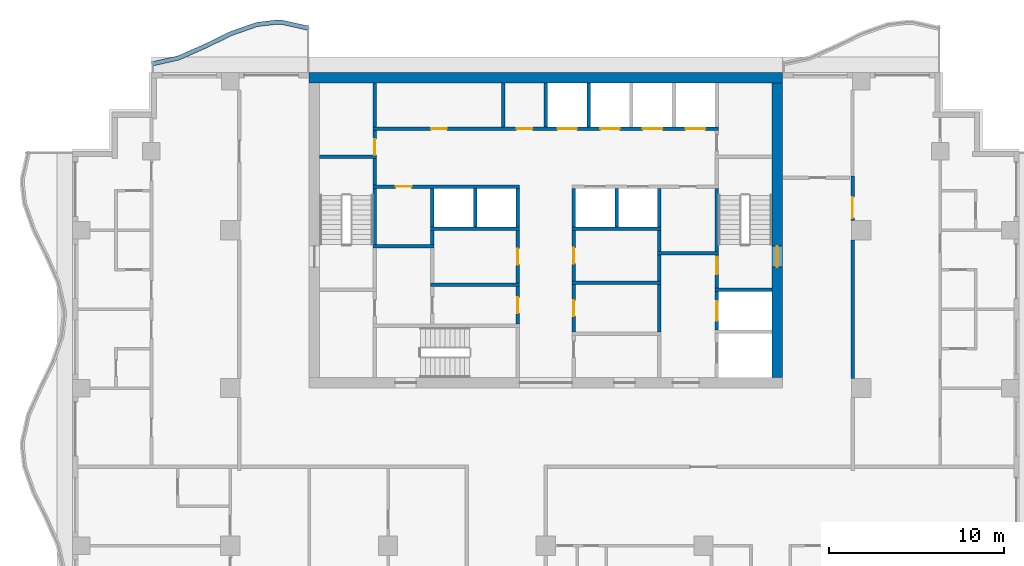
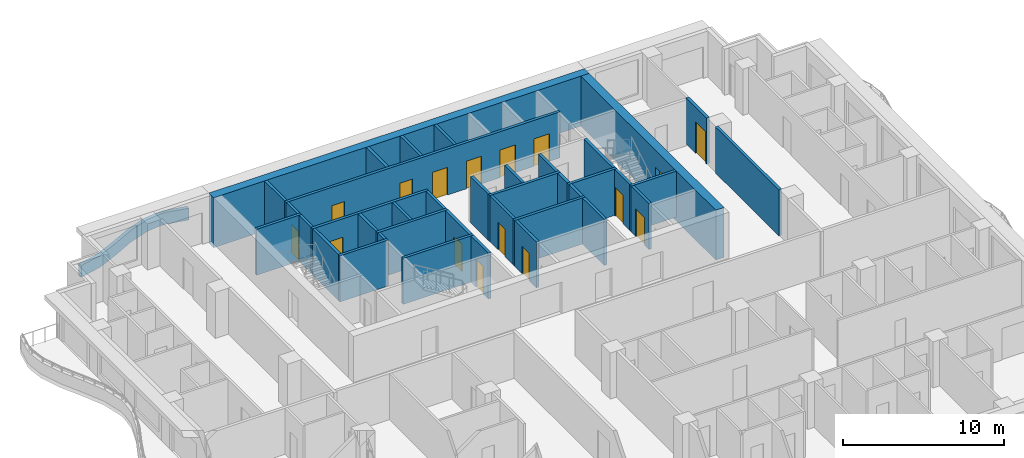
# One storey, part 6 of 12: 39 walls, 16 doors, 16 openings.
"""IFC4 building model written with IfcOpenShell, lengths in metres."""

from ifc_helpers import new_model, si_unit, direction, frame, frame_2d, origin, place, context, subcontext, project, spatial, polyline, rectangle, outline, extrude, material, layer, layer_set, type_object, element, fill, save


model = new_model("IFC4")

# Units and contexts
model_context = context("Model", 3, precision=1e-05, world=origin(), true_north=direction((0.0, 1.0)))
body_context = subcontext(model_context, "Body", "Model", "MODEL_VIEW")
ifc_project = project(units=[si_unit("LENGTHUNIT", "METRE"), si_unit("AREAUNIT", "SQUARE_METRE"), si_unit("VOLUMEUNIT", "CUBIC_METRE"), si_unit("PLANEANGLEUNIT", "RADIAN"), si_unit("MASSUNIT", "GRAM", prefix="KILO")], contexts=[model_context])

# Site, building, storey
site_placement = place(None, origin())
site = spatial("IfcSite", under=ifc_project, at=site_placement, CompositionType="ELEMENT")
building_placement = place(site_placement, origin())
building = spatial("IfcBuilding", under=site, at=building_placement, Name="Orbiselva Terraces", CompositionType="ELEMENT")
storey_placement = place(building_placement, frame((0.0, 0.0, 214.8)))
storey = spatial("IfcBuildingStorey", under=building, at=storey_placement, Name="L54", CompositionType="ELEMENT", Elevation=214.8)

# Wall, opening, door
ifc_material_1 = material(Name="Concrete C80/95", Category="concrete")
ifc_layer_1 = layer(ifc_material_1, 0.6)
ifc_layer_set_1 = layer_set([ifc_layer_1], Name="Concrete C80/95")
wall_type_1 = type_object("IfcWallType", Name="CORE WALL 600", PredefinedType="SHEAR", material=ifc_layer_set_1)
wall_1_placement = place(storey_placement, frame((13.2, 5.1, -0.3), z_axis=(0.0, 0.0, 1.0), x_axis=(0.0, 1.0, 0.0)))
wall_1 = element("IfcWall", 1, at=wall_1_placement, inside=storey, type_object=wall_type_1, Name="Core wall L54 east", PredefinedType="SHEAR", context=body_context, shape_type="SweptSolid", body=[
    extrude(rectangle(XDim=16.8, YDim=0.6, at=frame_2d((8.4, 0.0))), origin(), (0.0, 0.0, 1.0), 3.8),
])
opening_1_placement = place(wall_1_placement, frame((6.3, 0.0, 0.3)))
opening_1 = element("IfcOpeningElement", 2, at=opening_1_placement, cuts=wall_1, Name="Opening DS1200", PredefinedType="OPENING", context=body_context, shape_type="SweptSolid", body=[
    extrude(rectangle(XDim=1.2, YDim=2.2, at=frame_2d((0.6, 1.1))), frame((0.0, 0.31, 0.0), z_axis=(0.0, -1.0, 0.0), x_axis=(1.0, 0.0, 0.0)), (0.0, 0.0, 1.0), 0.62),
])
ifc_material_2 = material(Name="Steel fire door", Category="steel")
door_type_1 = type_object("IfcDoorType", Name="STAIR DOOR 1200", OperationType="NOTDEFINED", PredefinedType="DOOR", material=ifc_material_2)
door_1_placement = place(opening_1_placement, frame((1.2, 0.0, 0.0), z_axis=(0.0, 0.0, 1.0), x_axis=(-1.0, 0.0, 0.0)))
door_1 = element("IfcDoor", 3, at=door_1_placement, inside=storey, type_object=door_type_1, Name="L54 EXIT STAIR S2 door", OperationType="SINGLE_SWING_LEFT", OverallHeight=2.2, OverallWidth=1.2, PredefinedType="DOOR", context=body_context, shape_type="SweptSolid", body=[
    extrude(rectangle(XDim=1.2, YDim=2.2, at=frame_2d((0.6, 1.1))), frame((0.0, 0.025, 0.0), z_axis=(0.0, -1.0, 0.0), x_axis=(1.0, 0.0, 0.0)), (0.0, 0.0, 1.0), 0.05),
])
fill(opening_1, door_1)

# Wall
ifc_layer_2 = layer(ifc_material_1, 0.6)
ifc_layer_set_2 = layer_set([ifc_layer_2], Name="Concrete C80/95")
wall_type_2 = type_object("IfcWallType", Name="CORE WALL 600 EXTERNAL", PredefinedType="SHEAR", material=ifc_layer_set_2)
wall_2_placement = place(storey_placement, frame((13.5, 22.2, -0.3), z_axis=(0.0, 0.0, 1.0), x_axis=(-1.0, 0.0, 0.0)))
element("IfcWall", 4, at=wall_2_placement, inside=storey, type_object=wall_type_2, Name="Core wall L54 north", PredefinedType="SHEAR", context=body_context, shape_type="SweptSolid", body=[
    extrude(rectangle(XDim=27.0, YDim=0.6, at=frame_2d((13.5, 0.0))), origin(), (0.0, 0.0, 1.0), 3.8),
])

# Wall, opening, door
ifc_material_3 = material(Name="Masonry blockwork", Category="masonry")
ifc_layer_3 = layer(ifc_material_3, 0.2)
ifc_layer_set_3 = layer_set([ifc_layer_3], Name="Masonry blockwork")
wall_type_3 = type_object("IfcWallType", Name="CORE-WALL-PARTITION-200", PredefinedType="PARTITIONING", material=ifc_layer_set_3)
wall_3_placement = place(storey_placement, frame((-9.75, 17.8, 0.0), z_axis=(0.0, 0.0, 1.0), x_axis=(0.0, 1.0, 0.0)))
wall_3 = element("IfcWall", 5, at=wall_3_placement, inside=storey, type_object=wall_type_3, Name="L54 core wall 11", PredefinedType="PARTITIONING", context=body_context, shape_type="SweptSolid", body=[
    extrude(rectangle(XDim=1.4, YDim=0.2, at=frame_2d((0.7, 0.0))), origin(), (0.0, 0.0, 1.0), 3.5),
])
opening_2_placement = place(wall_3_placement, origin())
opening_2 = element("IfcOpeningElement", 6, at=opening_2_placement, cuts=wall_3, Name="Opening DR900", PredefinedType="OPENING", context=body_context, shape_type="SweptSolid", body=[
    extrude(rectangle(XDim=0.9, YDim=2.1, at=frame_2d((0.45, 1.05))), frame((0.0, 0.11, 0.0), z_axis=(0.0, -1.0, 0.0), x_axis=(1.0, 0.0, 0.0)), (0.0, 0.0, 1.0), 0.22),
])
door_type_2 = type_object("IfcDoorType", Name="ROOM DOOR 900", OperationType="NOTDEFINED", PredefinedType="DOOR", material=ifc_material_2)
door_2_placement = place(opening_2_placement, origin())
door_2 = element("IfcDoor", 7, at=door_2_placement, inside=storey, type_object=door_type_2, Name="L54 COMMS RISER ROOM door", OperationType="SINGLE_SWING_LEFT", OverallHeight=2.1, OverallWidth=0.9, PredefinedType="DOOR", context=body_context, shape_type="SweptSolid", body=[
    extrude(rectangle(XDim=0.9, YDim=2.1, at=frame_2d((0.45, 1.05))), frame((0.0, 0.025, 0.0), z_axis=(0.0, -1.0, 0.0), x_axis=(1.0, 0.0, 0.0)), (0.0, 0.0, 1.0), 0.05),
])
fill(opening_2, door_2)

# Walls
wall_4_placement = place(storey_placement, frame((-9.75, 19.4, 0.0), z_axis=(0.0, 0.0, 1.0), x_axis=(0.0, 1.0, 0.0)))
element("IfcWall", 8, at=wall_4_placement, inside=storey, type_object=wall_type_3, Name="L54 core wall 13", PredefinedType="PARTITIONING", context=body_context, shape_type="SweptSolid", body=[
    extrude(rectangle(XDim=2.5, YDim=0.2, at=frame_2d((1.25, 0.0))), origin(), (0.0, 0.0, 1.0), 3.5),
])
wall_5_placement = place(storey_placement, frame((-6.475, 12.7, 0.0), z_axis=(0.0, 0.0, 1.0), x_axis=(0.0, 1.0, 0.0)))
element("IfcWall", 9, at=wall_5_placement, inside=storey, type_object=wall_type_3, Name="L54 core wall 17", PredefinedType="PARTITIONING", context=body_context, shape_type="SweptSolid", body=[
    extrude(rectangle(XDim=0.8, YDim=0.2, at=frame_2d((0.4, 0.0))), origin(), (0.0, 0.0, 1.0), 3.5),
])
wall_6_placement = place(storey_placement, frame((-2.4375, 19.4, 0.0), z_axis=(0.0, 0.0, 1.0), x_axis=(0.0, 1.0, 0.0)))
element("IfcWall", 10, at=wall_6_placement, inside=storey, type_object=wall_type_3, Name="L54 core wall 21", PredefinedType="PARTITIONING", context=body_context, shape_type="SweptSolid", body=[
    extrude(rectangle(XDim=2.5, YDim=0.2, at=frame_2d((1.25, 0.0))), origin(), (0.0, 0.0, 1.0), 3.5),
])

# Wall, opening, door
wall_7_placement = place(storey_placement, frame((-1.6, 8.15, 0.0), z_axis=(0.0, 0.0, 1.0), x_axis=(0.0, 1.0, 0.0)))
wall_7 = element("IfcWall", 11, at=wall_7_placement, inside=storey, type_object=wall_type_3, Name="L54 core wall 23", PredefinedType="PARTITIONING", context=body_context, shape_type="SweptSolid", body=[
    extrude(rectangle(XDim=2.15, YDim=0.2, at=frame_2d((1.075, 0.0))), origin(), (0.0, 0.0, 1.0), 3.5),
])
opening_3_placement = place(wall_7_placement, frame((0.625, 0.0, 0.0)))
opening_3 = element("IfcOpeningElement", 12, at=opening_3_placement, cuts=wall_7, Name="Opening DR900", PredefinedType="OPENING", context=body_context, shape_type="SweptSolid", body=[
    extrude(rectangle(XDim=0.9, YDim=2.1, at=frame_2d((0.45, 1.05))), frame((0.0, 0.11, 0.0), z_axis=(0.0, -1.0, 0.0), x_axis=(1.0, 0.0, 0.0)), (0.0, 0.0, 1.0), 0.22),
])
door_3_placement = place(opening_3_placement, origin())
door_3 = element("IfcDoor", 13, at=door_3_placement, inside=storey, type_object=door_type_2, Name="L54 SERVICE PANTRY door", OperationType="SINGLE_SWING_LEFT", OverallHeight=2.1, OverallWidth=0.9, PredefinedType="DOOR", context=body_context, shape_type="SweptSolid", body=[
    extrude(rectangle(XDim=0.9, YDim=2.1, at=frame_2d((0.45, 1.05))), frame((0.0, 0.025, 0.0), z_axis=(0.0, -1.0, 0.0), x_axis=(1.0, 0.0, 0.0)), (0.0, 0.0, 1.0), 0.05),
])
fill(opening_3, door_3)

wall_8_placement = place(storey_placement, frame((-1.6, 10.5, 0.0), z_axis=(0.0, 0.0, 1.0), x_axis=(0.0, 1.0, 0.0)))
wall_8 = element("IfcWall", 14, at=wall_8_placement, inside=storey, type_object=wall_type_3, Name="L54 core wall 24", PredefinedType="PARTITIONING", context=body_context, shape_type="SweptSolid", body=[
    extrude(rectangle(XDim=3.0, YDim=0.2, at=frame_2d((1.5, 0.0))), origin(), (0.0, 0.0, 1.0), 3.5),
])
opening_4_placement = place(wall_8_placement, frame((1.05, 0.0, 0.0)))
opening_4 = element("IfcOpeningElement", 15, at=opening_4_placement, cuts=wall_8, Name="Opening DR900", PredefinedType="OPENING", context=body_context, shape_type="SweptSolid", body=[
    extrude(rectangle(XDim=0.9, YDim=2.1, at=frame_2d((0.45, 1.05))), frame((0.0, 0.11, 0.0), z_axis=(0.0, -1.0, 0.0), x_axis=(1.0, 0.0, 0.0)), (0.0, 0.0, 1.0), 0.22),
])
door_4_placement = place(opening_4_placement, origin())
door_4 = element("IfcDoor", 16, at=door_4_placement, inside=storey, type_object=door_type_2, Name="L54 LINEN STORE door", OperationType="SINGLE_SWING_RIGHT", OverallHeight=2.1, OverallWidth=0.9, PredefinedType="DOOR", context=body_context, shape_type="SweptSolid", body=[
    extrude(rectangle(XDim=0.9, YDim=2.1, at=frame_2d((0.45, 1.05))), frame((0.0, 0.025, 0.0), z_axis=(0.0, -1.0, 0.0), x_axis=(1.0, 0.0, 0.0)), (0.0, 0.0, 1.0), 0.05),
])
fill(opening_4, door_4)

wall_9_placement = place(storey_placement, frame((1.6, 10.4, 0.0), z_axis=(0.0, 0.0, 1.0), x_axis=(0.0, -1.0, 0.0)))
wall_9 = element("IfcWall", 17, at=wall_9_placement, inside=storey, type_object=wall_type_3, Name="L54 core wall 29", PredefinedType="PARTITIONING", context=body_context, shape_type="SweptSolid", body=[
    extrude(rectangle(XDim=2.7, YDim=0.2, at=frame_2d((1.35, 0.0))), origin(), (0.0, 0.0, 1.0), 3.5),
])
opening_5_placement = place(wall_9_placement, frame((0.9, 0.0, 0.0)))
opening_5 = element("IfcOpeningElement", 18, at=opening_5_placement, cuts=wall_9, Name="Opening DR900", PredefinedType="OPENING", context=body_context, shape_type="SweptSolid", body=[
    extrude(rectangle(XDim=0.9, YDim=2.1, at=frame_2d((0.45, 1.05))), frame((0.0, 0.11, 0.0), z_axis=(0.0, -1.0, 0.0), x_axis=(1.0, 0.0, 0.0)), (0.0, 0.0, 1.0), 0.22),
])
door_5_placement = place(opening_5_placement, origin())
door_5 = element("IfcDoor", 19, at=door_5_placement, inside=storey, type_object=door_type_2, Name="L54 SERVICE PANTRY door", OperationType="SINGLE_SWING_LEFT", OverallHeight=2.1, OverallWidth=0.9, PredefinedType="DOOR", context=body_context, shape_type="SweptSolid", body=[
    extrude(rectangle(XDim=0.9, YDim=2.1, at=frame_2d((0.45, 1.05))), frame((0.0, 0.025, 0.0), z_axis=(0.0, -1.0, 0.0), x_axis=(1.0, 0.0, 0.0)), (0.0, 0.0, 1.0), 0.05),
])
fill(opening_5, door_5)

wall_10_placement = place(storey_placement, frame((1.6, 13.5, 0.0), z_axis=(0.0, 0.0, 1.0), x_axis=(0.0, -1.0, 0.0)))
wall_10 = element("IfcWall", 20, at=wall_10_placement, inside=storey, type_object=wall_type_3, Name="L54 core wall 31", PredefinedType="PARTITIONING", context=body_context, shape_type="SweptSolid", body=[
    extrude(rectangle(XDim=2.9, YDim=0.2, at=frame_2d((1.45, 0.0))), origin(), (0.0, 0.0, 1.0), 3.5),
])
opening_6_placement = place(wall_10_placement, frame((1.0, 0.0, 0.0)))
opening_6 = element("IfcOpeningElement", 21, at=opening_6_placement, cuts=wall_10, Name="Opening DR900", PredefinedType="OPENING", context=body_context, shape_type="SweptSolid", body=[
    extrude(rectangle(XDim=0.9, YDim=2.1, at=frame_2d((0.45, 1.05))), frame((0.0, 0.11, 0.0), z_axis=(0.0, -1.0, 0.0), x_axis=(1.0, 0.0, 0.0)), (0.0, 0.0, 1.0), 0.22),
])
door_6_placement = place(opening_6_placement, origin())
door_6 = element("IfcDoor", 22, at=door_6_placement, inside=storey, type_object=door_type_2, Name="L54 STAFF WC door", OperationType="SINGLE_SWING_LEFT", OverallHeight=2.1, OverallWidth=0.9, PredefinedType="DOOR", context=body_context, shape_type="SweptSolid", body=[
    extrude(rectangle(XDim=0.9, YDim=2.1, at=frame_2d((0.45, 1.05))), frame((0.0, 0.025, 0.0), z_axis=(0.0, -1.0, 0.0), x_axis=(1.0, 0.0, 0.0)), (0.0, 0.0, 1.0), 0.05),
])
fill(opening_6, door_6)

# Walls
wall_11_placement = place(storey_placement, frame((6.475, 12.3, 0.0), z_axis=(0.0, 0.0, 1.0), x_axis=(0.0, 1.0, 0.0)))
element("IfcWall", 23, at=wall_11_placement, inside=storey, type_object=wall_type_3, Name="L54 core wall 42", PredefinedType="PARTITIONING", context=body_context, shape_type="SweptSolid", body=[
    extrude(rectangle(XDim=1.2, YDim=0.2, at=frame_2d((0.6, 0.0))), origin(), (0.0, 0.0, 1.0), 3.5),
])
ifc_material_4 = material(Name="Concrete C40/50", Category="concrete")
ifc_layer_4 = layer(ifc_material_4, 0.2)
ifc_layer_set_4 = layer_set([ifc_layer_4], Name="Concrete C40/50")
wall_type_4 = type_object("IfcWallType", Name="CORE-WALL-SHAFT-200", PredefinedType="PARTITIONING", material=ifc_layer_set_4)
for number, where, z_axis, x_axis, name in (
    (24, (-6.475, 13.7, 0.0), (0.0, 0.0, 1.0), (0.0, 1.0, 0.0), "L54 core wall 19"),
    (25, (-4.0375, 13.7, 0.0), (0.0, 0.0, 1.0), (0.0, 1.0, 0.0), "L54 core wall 20"),
    (26, (-1.6, 13.7, 0.0), (0.0, 0.0, 1.0), (0.0, 1.0, 0.0), "L54 core wall 25"),
):
    element("IfcWall", number, at=place(storey_placement, frame(where, z_axis=z_axis, x_axis=x_axis)), inside=storey, type_object=wall_type_4, Name=name, PredefinedType="PARTITIONING", context=body_context, shape_type="SweptSolid", body=[
        extrude(rectangle(XDim=2.2, YDim=0.2, at=frame_2d((1.1, 0.0))), origin(), (0.0, 0.0, 1.0), 3.5),
    ])
wall_12_placement = place(storey_placement, frame((0.0, 19.4, 0.0), z_axis=(0.0, 0.0, 1.0), x_axis=(0.0, 1.0, 0.0)))
element("IfcWall", 27, at=wall_12_placement, inside=storey, type_object=wall_type_4, Name="L54 core wall 26", PredefinedType="PARTITIONING", context=body_context, shape_type="SweptSolid", body=[
    extrude(rectangle(XDim=2.5, YDim=0.2, at=frame_2d((1.25, 0.0))), origin(), (0.0, 0.0, 1.0), 3.5),
])
wall_13_placement = place(storey_placement, frame((1.6, 13.7, 0.0), z_axis=(0.0, 0.0, 1.0), x_axis=(0.0, 1.0, 0.0)))
element("IfcWall", 28, at=wall_13_placement, inside=storey, type_object=wall_type_4, Name="L54 core wall 33", PredefinedType="PARTITIONING", context=body_context, shape_type="SweptSolid", body=[
    extrude(rectangle(XDim=2.2, YDim=0.2, at=frame_2d((1.1, 0.0))), origin(), (0.0, 0.0, 1.0), 3.5),
])
wall_14_placement = place(storey_placement, frame((2.4375, 19.4, 0.0), z_axis=(0.0, 0.0, 1.0), x_axis=(0.0, 1.0, 0.0)))
element("IfcWall", 29, at=wall_14_placement, inside=storey, type_object=wall_type_4, Name="L54 core wall 35", PredefinedType="PARTITIONING", context=body_context, shape_type="SweptSolid", body=[
    extrude(rectangle(XDim=2.5, YDim=0.2, at=frame_2d((1.25, 0.0))), origin(), (0.0, 0.0, 1.0), 3.5),
])
for number, where, z_axis, x_axis, name in (
    (30, (4.0375, 13.7, 0.0), (0.0, 0.0, 1.0), (0.0, 1.0, 0.0), "L54 core wall 36"),
    (31, (6.475, 13.7, 0.0), (0.0, 0.0, 1.0), (0.0, 1.0, 0.0), "L54 core wall 43"),
):
    element("IfcWall", number, at=place(storey_placement, frame(where, z_axis=z_axis, x_axis=x_axis)), inside=storey, type_object=wall_type_4, Name=name, PredefinedType="PARTITIONING", context=body_context, shape_type="SweptSolid", body=[
        extrude(rectangle(XDim=2.2, YDim=0.2, at=frame_2d((1.1, 0.0))), origin(), (0.0, 0.0, 1.0), 3.5),
    ])
ifc_material_5 = material(Name="Concrete C60/75", Category="concrete")
ifc_layer_5 = layer(ifc_material_5, 0.2)
ifc_layer_set_5 = layer_set([ifc_layer_5], Name="Concrete C60/75")
wall_type_5 = type_object("IfcWallType", Name="CORE-WALL-SHEAR-200", PredefinedType="SHEAR", material=ifc_layer_set_5)
wall_15_placement = place(storey_placement, frame((-12.9, 17.7, 0.0), z_axis=(0.0, 0.0, 1.0), x_axis=(1.0, 0.0, 0.0)))
element("IfcWall", 32, at=wall_15_placement, inside=storey, type_object=wall_type_5, Name="L54 core wall 02", PredefinedType="SHEAR", context=body_context, shape_type="SweptSolid", body=[
    extrude(rectangle(XDim=3.25, YDim=0.2, at=frame_2d((1.625, 0.0))), origin(), (0.0, 0.0, 1.0), 3.5),
])
wall_16_placement = place(storey_placement, frame((-9.85, 12.6, 0.0), z_axis=(0.0, 0.0, 1.0), x_axis=(1.0, 0.0, 0.0)))
element("IfcWall", 33, at=wall_16_placement, inside=storey, type_object=wall_type_5, Name="L54 core wall 07", PredefinedType="SHEAR", context=body_context, shape_type="SweptSolid", body=[
    extrude(rectangle(XDim=3.475, YDim=0.2, at=frame_2d((1.7375, 0.0))), origin(), (0.0, 0.0, 1.0), 3.5),
])
wall_17_placement = place(storey_placement, frame((-9.75, 12.7, 0.0), z_axis=(0.0, 0.0, 1.0), x_axis=(0.0, 1.0, 0.0)))
element("IfcWall", 34, at=wall_17_placement, inside=storey, type_object=wall_type_5, Name="L54 core wall 08", PredefinedType="SHEAR", context=body_context, shape_type="SweptSolid", body=[
    extrude(rectangle(XDim=3.2, YDim=0.2, at=frame_2d((1.6, 0.0))), origin(), (0.0, 0.0, 1.0), 3.5),
])

# Wall, opening, door
wall_18_placement = place(storey_placement, frame((-1.5, 16.0, 0.0), z_axis=(0.0, 0.0, 1.0), x_axis=(-1.0, 0.0, 0.0)))
wall_18 = element("IfcWall", 35, at=wall_18_placement, inside=storey, type_object=wall_type_5, Name="L54 core wall 09", PredefinedType="SHEAR", context=body_context, shape_type="SweptSolid", body=[
    extrude(rectangle(XDim=8.35, YDim=0.2, at=frame_2d((4.175, 0.0))), origin(), (0.0, 0.0, 1.0), 3.5),
])
opening_7_placement = place(wall_18_placement, frame((6.1625, 0.0, 0.0)))
opening_7 = element("IfcOpeningElement", 36, at=opening_7_placement, cuts=wall_18, Name="Opening DR900", PredefinedType="OPENING", context=body_context, shape_type="SweptSolid", body=[
    extrude(rectangle(XDim=0.9, YDim=2.1, at=frame_2d((0.45, 1.05))), frame((0.0, 0.11, 0.0), z_axis=(0.0, -1.0, 0.0), x_axis=(1.0, 0.0, 0.0)), (0.0, 0.0, 1.0), 0.22),
])
door_7_placement = place(opening_7_placement, origin())
door_7 = element("IfcDoor", 37, at=door_7_placement, inside=storey, type_object=door_type_2, Name="L54 IT ROOM door", OperationType="SINGLE_SWING_RIGHT", OverallHeight=2.1, OverallWidth=0.9, PredefinedType="DOOR", context=body_context, shape_type="SweptSolid", body=[
    extrude(rectangle(XDim=0.9, YDim=2.1, at=frame_2d((0.45, 1.05))), frame((0.0, 0.025, 0.0), z_axis=(0.0, -1.0, 0.0), x_axis=(1.0, 0.0, 0.0)), (0.0, 0.0, 1.0), 0.05),
])
fill(opening_7, door_7)

# Wall
wall_19_placement = place(storey_placement, frame((-9.75, 16.1, 0.0), z_axis=(0.0, 0.0, 1.0), x_axis=(0.0, 1.0, 0.0)))
element("IfcWall", 38, at=wall_19_placement, inside=storey, type_object=wall_type_5, Name="L54 core wall 10", PredefinedType="SHEAR", context=body_context, shape_type="SweptSolid", body=[
    extrude(rectangle(XDim=1.5, YDim=0.2, at=frame_2d((0.75, 0.0))), origin(), (0.0, 0.0, 1.0), 3.5),
])

# Wall, openings, doors
wall_20_placement = place(storey_placement, frame((-9.85, 19.3, 0.0), z_axis=(0.0, 0.0, 1.0), x_axis=(1.0, 0.0, 0.0)))
wall_20 = element("IfcWall", 39, at=wall_20_placement, inside=storey, type_object=wall_type_5, Name="L54 core wall 12", PredefinedType="SHEAR", context=body_context, shape_type="SweptSolid", body=[
    extrude(rectangle(XDim=19.7, YDim=0.2, at=frame_2d((9.85, 0.0))), origin(), (0.0, 0.0, 1.0), 3.5),
])
opening_8_placement = place(wall_20_placement, frame((10.51875, 0.0, 0.0)))
opening_8 = element("IfcOpeningElement", 40, at=opening_8_placement, cuts=wall_20, Name="Opening LD-HR1", PredefinedType="OPENING", context=body_context, shape_type="SweptSolid", body=[
    extrude(rectangle(XDim=1.1, YDim=2.1, at=frame_2d((0.55, 1.05))), frame((0.0, 0.11, 0.0), z_axis=(0.0, -1.0, 0.0), x_axis=(1.0, 0.0, 0.0)), (0.0, 0.0, 1.0), 0.22),
])
opening_9_placement = place(wall_20_placement, frame((12.95625, 0.0, 0.0)))
opening_9 = element("IfcOpeningElement", 41, at=opening_9_placement, cuts=wall_20, Name="Opening LD-HR2", PredefinedType="OPENING", context=body_context, shape_type="SweptSolid", body=[
    extrude(rectangle(XDim=1.1, YDim=2.1, at=frame_2d((0.55, 1.05))), frame((0.0, 0.11, 0.0), z_axis=(0.0, -1.0, 0.0), x_axis=(1.0, 0.0, 0.0)), (0.0, 0.0, 1.0), 0.22),
])
opening_10_placement = place(wall_20_placement, frame((15.39375, 0.0, 0.0)))
opening_10 = element("IfcOpeningElement", 42, at=opening_10_placement, cuts=wall_20, Name="Opening LD-HR3", PredefinedType="OPENING", context=body_context, shape_type="SweptSolid", body=[
    extrude(rectangle(XDim=1.1, YDim=2.1, at=frame_2d((0.55, 1.05))), frame((0.0, 0.11, 0.0), z_axis=(0.0, -1.0, 0.0), x_axis=(1.0, 0.0, 0.0)), (0.0, 0.0, 1.0), 0.22),
])
opening_11_placement = place(wall_20_placement, frame((17.83125, 0.0, 0.0)))
opening_11 = element("IfcOpeningElement", 43, at=opening_11_placement, cuts=wall_20, Name="Opening LD-HR4", PredefinedType="OPENING", context=body_context, shape_type="SweptSolid", body=[
    extrude(rectangle(XDim=1.1, YDim=2.1, at=frame_2d((0.55, 1.05))), frame((0.0, 0.11, 0.0), z_axis=(0.0, -1.0, 0.0), x_axis=(1.0, 0.0, 0.0)), (0.0, 0.0, 1.0), 0.22),
])
opening_12_placement = place(wall_20_placement, frame((3.3062, 0.0, 0.0)))
opening_12 = element("IfcOpeningElement", 44, at=opening_12_placement, cuts=wall_20, Name="Opening DR900", PredefinedType="OPENING", context=body_context, shape_type="SweptSolid", body=[
    extrude(rectangle(XDim=0.9, YDim=2.1, at=frame_2d((0.45, 1.05))), frame((0.0, 0.11, 0.0), z_axis=(0.0, -1.0, 0.0), x_axis=(1.0, 0.0, 0.0)), (0.0, 0.0, 1.0), 0.22),
])
opening_13_placement = place(wall_20_placement, frame((8.1812, 0.0, 0.0)))
opening_13 = element("IfcOpeningElement", 45, at=opening_13_placement, cuts=wall_20, Name="Opening DR900", PredefinedType="OPENING", context=body_context, shape_type="SweptSolid", body=[
    extrude(rectangle(XDim=0.9, YDim=2.1, at=frame_2d((0.45, 1.05))), frame((0.0, 0.11, 0.0), z_axis=(0.0, -1.0, 0.0), x_axis=(1.0, 0.0, 0.0)), (0.0, 0.0, 1.0), 0.22),
])
ifc_material_6 = material(Name="Stainless steel landing door", Category="steel")
door_type_3 = type_object("IfcDoorType", Name="LANDING DOOR 1100", OperationType="SLIDING_TO_LEFT", PredefinedType="DOOR", material=ifc_material_6)
door_8_placement = place(opening_8_placement, origin())
door_8 = element("IfcDoor", 46, at=door_8_placement, inside=storey, type_object=door_type_3, Name="L54 landing door HR1", OperationType="SLIDING_TO_RIGHT", OverallHeight=2.1, OverallWidth=1.1, PredefinedType="DOOR", context=body_context, shape_type="SweptSolid", body=[
    extrude(rectangle(XDim=1.1, YDim=2.1, at=frame_2d((0.55, 1.05))), frame((0.0, 0.025, 0.0), z_axis=(0.0, -1.0, 0.0), x_axis=(1.0, 0.0, 0.0)), (0.0, 0.0, 1.0), 0.05),
])
fill(opening_8, door_8)
door_9_placement = place(opening_9_placement, origin())
door_9 = element("IfcDoor", 47, at=door_9_placement, inside=storey, type_object=door_type_3, Name="L54 landing door HR2", OperationType="SLIDING_TO_RIGHT", OverallHeight=2.1, OverallWidth=1.1, PredefinedType="DOOR", context=body_context, shape_type="SweptSolid", body=[
    extrude(rectangle(XDim=1.1, YDim=2.1, at=frame_2d((0.55, 1.05))), frame((0.0, 0.025, 0.0), z_axis=(0.0, -1.0, 0.0), x_axis=(1.0, 0.0, 0.0)), (0.0, 0.0, 1.0), 0.05),
])
fill(opening_9, door_9)
door_10_placement = place(opening_10_placement, origin())
door_10 = element("IfcDoor", 48, at=door_10_placement, inside=storey, type_object=door_type_3, Name="L54 landing door HR3", OperationType="SLIDING_TO_RIGHT", OverallHeight=2.1, OverallWidth=1.1, PredefinedType="DOOR", context=body_context, shape_type="SweptSolid", body=[
    extrude(rectangle(XDim=1.1, YDim=2.1, at=frame_2d((0.55, 1.05))), frame((0.0, 0.025, 0.0), z_axis=(0.0, -1.0, 0.0), x_axis=(1.0, 0.0, 0.0)), (0.0, 0.0, 1.0), 0.05),
])
fill(opening_10, door_10)
door_11_placement = place(opening_11_placement, origin())
door_11 = element("IfcDoor", 49, at=door_11_placement, inside=storey, type_object=door_type_3, Name="L54 landing door HR4", OperationType="SLIDING_TO_RIGHT", OverallHeight=2.1, OverallWidth=1.1, PredefinedType="DOOR", context=body_context, shape_type="SweptSolid", body=[
    extrude(rectangle(XDim=1.1, YDim=2.1, at=frame_2d((0.55, 1.05))), frame((0.0, 0.025, 0.0), z_axis=(0.0, -1.0, 0.0), x_axis=(1.0, 0.0, 0.0)), (0.0, 0.0, 1.0), 0.05),
])
fill(opening_11, door_11)
door_12_placement = place(opening_12_placement, origin())
door_12 = element("IfcDoor", 50, at=door_12_placement, inside=storey, type_object=door_type_2, Name="L54 SERVICE LOUNGE door", OperationType="SINGLE_SWING_LEFT", OverallHeight=2.1, OverallWidth=0.9, PredefinedType="DOOR", context=body_context, shape_type="SweptSolid", body=[
    extrude(rectangle(XDim=0.9, YDim=2.1, at=frame_2d((0.45, 1.05))), frame((0.0, 0.025, 0.0), z_axis=(0.0, -1.0, 0.0), x_axis=(1.0, 0.0, 0.0)), (0.0, 0.0, 1.0), 0.05),
])
fill(opening_12, door_12)
door_13_placement = place(opening_13_placement, origin())
door_13 = element("IfcDoor", 51, at=door_13_placement, inside=storey, type_object=door_type_2, Name="L54 STAFF WC door", OperationType="SINGLE_SWING_LEFT", OverallHeight=2.1, OverallWidth=0.9, PredefinedType="DOOR", context=body_context, shape_type="SweptSolid", body=[
    extrude(rectangle(XDim=0.9, YDim=2.1, at=frame_2d((0.45, 1.05))), frame((0.0, 0.025, 0.0), z_axis=(0.0, -1.0, 0.0), x_axis=(1.0, 0.0, 0.0)), (0.0, 0.0, 1.0), 0.05),
])
fill(opening_13, door_13)

# Walls
for number, where, z_axis, x_axis, name in (
    (52, (-6.575, 10.4, 0.0), (0.0, 0.0, 1.0), (1.0, 0.0, 0.0), "L54 core wall 15"),
    (53, (-6.575, 13.6, 0.0), (0.0, 0.0, 1.0), (1.0, 0.0, 0.0), "L54 core wall 18"),
    (54, (1.5, 10.5, 0.0), (0.0, 0.0, 1.0), (1.0, 0.0, 0.0), "L54 core wall 30"),
    (55, (1.5, 13.6, 0.0), (0.0, 0.0, 1.0), (1.0, 0.0, 0.0), "L54 core wall 32"),
):
    element("IfcWall", number, at=place(storey_placement, frame(where, z_axis=z_axis, x_axis=x_axis)), inside=storey, type_object=wall_type_5, Name=name, PredefinedType="SHEAR", context=body_context, shape_type="SweptSolid", body=[
        extrude(rectangle(XDim=5.075, YDim=0.2, at=frame_2d((2.5375, 0.0))), origin(), (0.0, 0.0, 1.0), 3.5),
    ])
wall_21_placement = place(storey_placement, frame((6.475, 7.7, 0.0), z_axis=(0.0, 0.0, 1.0), x_axis=(0.0, 1.0, 0.0)))
element("IfcWall", 56, at=wall_21_placement, inside=storey, type_object=wall_type_5, Name="L54 core wall 39", PredefinedType="SHEAR", context=body_context, shape_type="SweptSolid", body=[
    extrude(rectangle(XDim=2.7, YDim=0.2, at=frame_2d((1.35, 0.0))), origin(), (0.0, 0.0, 1.0), 3.5),
])
wall_22_placement = place(storey_placement, frame((6.475, 10.6, 0.0), z_axis=(0.0, 0.0, 1.0), x_axis=(0.0, 1.0, 0.0)))
element("IfcWall", 57, at=wall_22_placement, inside=storey, type_object=wall_type_5, Name="L54 core wall 40", PredefinedType="SHEAR", context=body_context, shape_type="SweptSolid", body=[
    extrude(rectangle(XDim=1.5, YDim=0.2, at=frame_2d((0.75, 0.0))), origin(), (0.0, 0.0, 1.0), 3.5),
])
wall_23_placement = place(storey_placement, frame((6.375, 12.2, 0.0), z_axis=(0.0, 0.0, 1.0), x_axis=(1.0, 0.0, 0.0)))
element("IfcWall", 58, at=wall_23_placement, inside=storey, type_object=wall_type_5, Name="L54 core wall 41", PredefinedType="SHEAR", context=body_context, shape_type="SweptSolid", body=[
    extrude(rectangle(XDim=3.475, YDim=0.2, at=frame_2d((1.7375, 0.0))), origin(), (0.0, 0.0, 1.0), 3.5),
])

# Wall, opening, door
wall_24_placement = place(storey_placement, frame((9.75, 7.8, 0.0), z_axis=(0.0, 0.0, 1.0), x_axis=(0.0, 1.0, 0.0)))
wall_24 = element("IfcWall", 59, at=wall_24_placement, inside=storey, type_object=wall_type_5, Name="L54 core wall 47", PredefinedType="SHEAR", context=body_context, shape_type="SweptSolid", body=[
    extrude(rectangle(XDim=2.2, YDim=0.2, at=frame_2d((1.1, 0.0))), origin(), (0.0, 0.0, 1.0), 3.5),
])
opening_14_placement = place(wall_24_placement, frame((0.55, 0.0, 0.0)))
opening_14 = element("IfcOpeningElement", 60, at=opening_14_placement, cuts=wall_24, Name="Opening LD-FF2", PredefinedType="OPENING", context=body_context, shape_type="SweptSolid", body=[
    extrude(rectangle(XDim=1.1, YDim=2.1, at=frame_2d((0.55, 1.05))), frame((0.0, 0.11, 0.0), z_axis=(0.0, -1.0, 0.0), x_axis=(1.0, 0.0, 0.0)), (0.0, 0.0, 1.0), 0.22),
])
door_14_placement = place(opening_14_placement, origin())
door_14 = element("IfcDoor", 61, at=door_14_placement, inside=storey, type_object=door_type_3, Name="L54 landing door FF2", OperationType="SLIDING_TO_RIGHT", OverallHeight=2.1, OverallWidth=1.1, PredefinedType="DOOR", context=body_context, shape_type="SweptSolid", body=[
    extrude(rectangle(XDim=1.1, YDim=2.1, at=frame_2d((0.55, 1.05))), frame((0.0, 0.025, 0.0), z_axis=(0.0, -1.0, 0.0), x_axis=(1.0, 0.0, 0.0)), (0.0, 0.0, 1.0), 0.05),
])
fill(opening_14, door_14)

# Wall
wall_25_placement = place(storey_placement, frame((9.65, 10.1, 0.0), z_axis=(0.0, 0.0, 1.0), x_axis=(1.0, 0.0, 0.0)))
element("IfcWall", 62, at=wall_25_placement, inside=storey, type_object=wall_type_5, Name="L54 core wall 48", PredefinedType="SHEAR", context=body_context, shape_type="SweptSolid", body=[
    extrude(rectangle(XDim=3.25, YDim=0.2, at=frame_2d((1.625, 0.0))), origin(), (0.0, 0.0, 1.0), 3.5),
])

# Wall, opening, door
wall_26_placement = place(storey_placement, frame((9.75, 12.1, 0.0), z_axis=(0.0, 0.0, 1.0), x_axis=(0.0, -1.0, 0.0)))
wall_26 = element("IfcWall", 63, at=wall_26_placement, inside=storey, type_object=wall_type_5, Name="L54 core wall 49", PredefinedType="SHEAR", context=body_context, shape_type="SweptSolid", body=[
    extrude(rectangle(XDim=1.9, YDim=0.2, at=frame_2d((0.95, 0.0))), origin(), (0.0, 0.0, 1.0), 3.5),
])
opening_15_placement = place(wall_26_placement, frame((0.1, 0.0, 0.0)))
opening_15 = element("IfcOpeningElement", 64, at=opening_15_placement, cuts=wall_26, Name="Opening DS1000", PredefinedType="OPENING", context=body_context, shape_type="SweptSolid", body=[
    extrude(rectangle(XDim=1.0, YDim=2.2, at=frame_2d((0.5, 1.1))), frame((0.0, 0.11, 0.0), z_axis=(0.0, -1.0, 0.0), x_axis=(1.0, 0.0, 0.0)), (0.0, 0.0, 1.0), 0.22),
])
door_type_4 = type_object("IfcDoorType", Name="STAIR DOOR 1000", OperationType="NOTDEFINED", PredefinedType="DOOR", material=ifc_material_2)
door_15_placement = place(opening_15_placement, origin())
door_15 = element("IfcDoor", 65, at=door_15_placement, inside=storey, type_object=door_type_4, Name="L54 FIRE-FIGHTING LOBBY TO EXIT STAIR S2 door", OperationType="SINGLE_SWING_LEFT", OverallHeight=2.2, OverallWidth=1.0, PredefinedType="DOOR", context=body_context, shape_type="SweptSolid", body=[
    extrude(rectangle(XDim=1.0, YDim=2.2, at=frame_2d((0.5, 1.1))), frame((0.0, 0.025, 0.0), z_axis=(0.0, -1.0, 0.0), x_axis=(1.0, 0.0, 0.0)), (0.0, 0.0, 1.0), 0.05),
])
fill(opening_15, door_15)

# Walls
wall_27_placement = place(storey_placement, frame((9.75, 12.3, 0.0), z_axis=(0.0, 0.0, 1.0), x_axis=(0.0, 1.0, 0.0)))
element("IfcWall", 66, at=wall_27_placement, inside=storey, type_object=wall_type_5, Name="L54 core wall 50", PredefinedType="SHEAR", context=body_context, shape_type="SweptSolid", body=[
    extrude(rectangle(XDim=3.6, YDim=0.2, at=frame_2d((1.8, 0.0))), origin(), (0.0, 0.0, 1.0), 3.5),
])
ifc_layer_6 = layer(ifc_material_4, 0.25)
ifc_layer_set_6 = layer_set([ifc_layer_6], Name="Concrete C40/50")
wall_type_6 = type_object("IfcWallType", Name="ENV-PLANTER-250x900", PredefinedType="USERDEFINED", material=ifc_layer_set_6)
wall_28_placement = place(storey_placement, origin())
element("IfcWall", 67, at=wall_28_placement, inside=storey, type_object=wall_type_6, Name="Balcony planter L54 NW", ObjectType="PLANTER", PredefinedType="USERDEFINED", context=body_context, shape_type="SweptSolid", body=[
    extrude(outline(polyline([(-13.5, 25.148528), (-15.0, 25.485226), (-15.375, 25.5), (-16.5, 25.369208), (-18.0, 24.844789), (-19.5, 24.112279), (-21.0, 23.451472), (-22.5, 23.114774), (-22.445246, 22.870844), (-20.921492, 23.212874), (-19.394714, 23.885477), (-17.90356, 24.613667), (-16.443629, 25.124078), (-15.365428, 25.249429), (-15.032565, 25.236315), (-13.554754, 24.904598), (-13.5, 25.148528)])), origin(), (0.0, 0.0, 1.0), 0.9),
])
ifc_material_7 = material(Name="Plasterboard on steel stud partition", Category="steel")
ifc_layer_7 = layer(ifc_material_7, 0.2)
ifc_layer_set_7 = layer_set([ifc_layer_7], Name="Plasterboard on steel stud partition")
wall_type_7 = type_object("IfcWallType", Name="UNIT-ENTRANCE-WALL-200", PredefinedType="PARTITIONING", material=ifc_layer_set_7)
wall_29_placement = place(storey_placement, frame((17.5, 5.05, 0.0), z_axis=(0.0, 0.0, 1.0), x_axis=(0.0, 1.0, 0.0)))
element("IfcWall", 68, at=wall_29_placement, inside=storey, type_object=wall_type_7, Name="PARTITION L54-086", PredefinedType="PARTITIONING", context=body_context, shape_type="SweptSolid", body=[
    extrude(rectangle(XDim=7.9, YDim=0.2, at=frame_2d((3.95, 0.0))), origin(), (0.0, 0.0, 1.0), 3.5),
])

# Wall, opening, door
wall_30_placement = place(storey_placement, frame((17.5, 16.6, 0.0), z_axis=(0.0, 0.0, 1.0), x_axis=(0.0, -1.0, 0.0)))
wall_30 = element("IfcWall", 69, at=wall_30_placement, inside=storey, type_object=wall_type_7, Name="PARTITION L54-087", PredefinedType="PARTITIONING", context=body_context, shape_type="SweptSolid", body=[
    extrude(rectangle(XDim=2.55, YDim=0.2, at=frame_2d((1.275, 0.0))), origin(), (0.0, 0.0, 1.0), 3.5),
])
opening_16_placement = place(wall_30_placement, frame((1.2, 0.0, 0.0)))
opening_16 = element("IfcOpeningElement", 70, at=opening_16_placement, cuts=wall_30, Name="Opening Z4-C-10", PredefinedType="OPENING", context=body_context, shape_type="SweptSolid", body=[
    extrude(rectangle(XDim=1.2, YDim=2.4, at=frame_2d((0.6, 1.2))), frame((0.0, 0.11, 0.0), z_axis=(0.0, -1.0, 0.0), x_axis=(1.0, 0.0, 0.0)), (0.0, 0.0, 1.0), 0.22),
])
ifc_material_8 = material(Name="Painted timber door leaf", Category="wood")
door_type_5 = type_object("IfcDoorType", Name="ENTRANCE DOOR 1200", OperationType="NOTDEFINED", PredefinedType="DOOR", material=ifc_material_8)
door_16_placement = place(opening_16_placement, origin())
door_16 = element("IfcDoor", 71, at=door_16_placement, inside=storey, type_object=door_type_5, Name="Z4-C-10", OperationType="SINGLE_SWING_RIGHT", OverallHeight=2.4, OverallWidth=1.2, PredefinedType="DOOR", context=body_context, shape_type="SweptSolid", body=[
    extrude(rectangle(XDim=1.2, YDim=2.4, at=frame_2d((0.6, 1.2))), frame((0.0, 0.025, 0.0), z_axis=(0.0, -1.0, 0.0), x_axis=(1.0, 0.0, 0.0)), (0.0, 0.0, 1.0), 0.05),
])
fill(opening_16, door_16)

save(model, "model.ifc")
